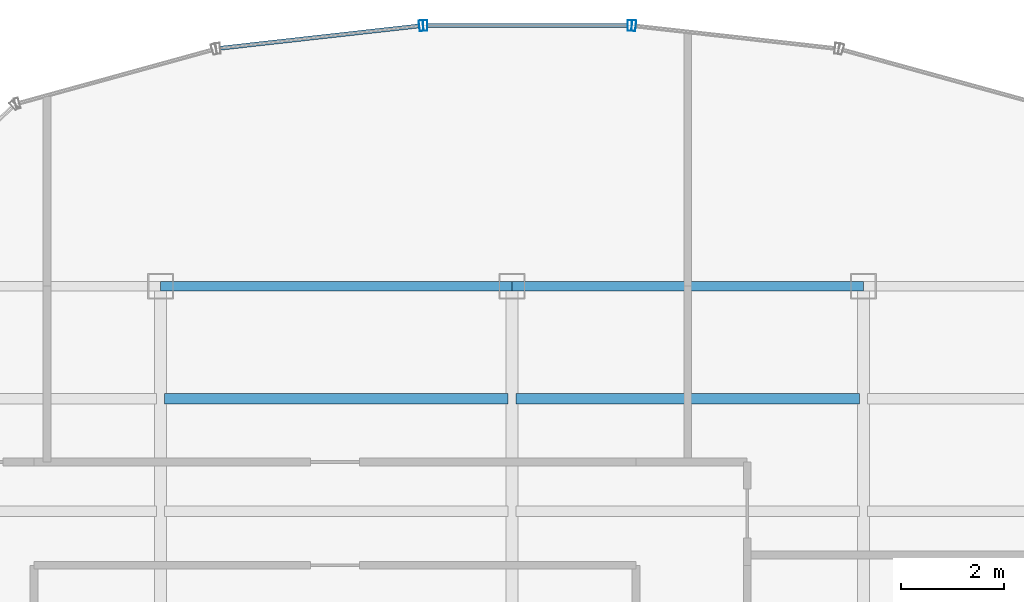
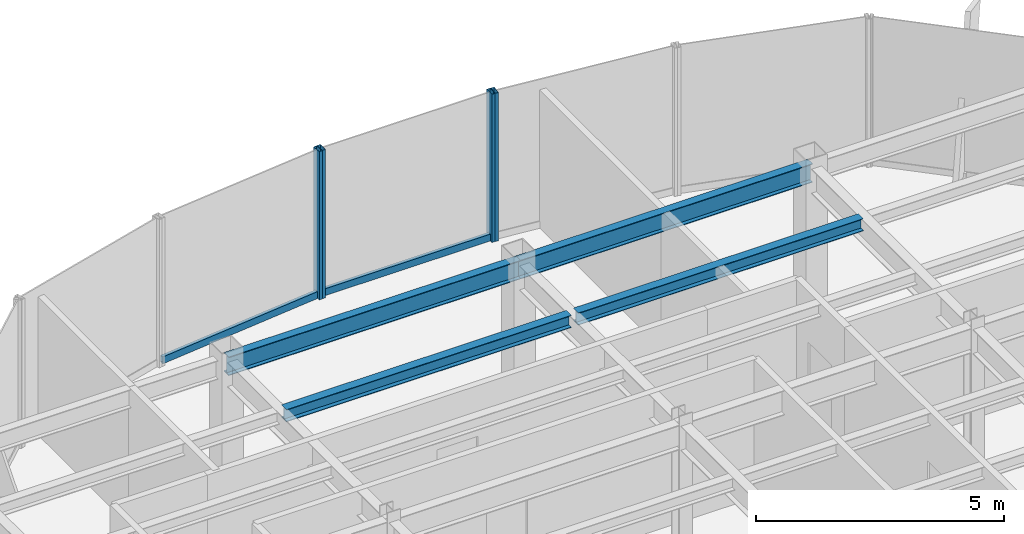
# One storey, part 13 of 22: 6 members, 4 beams, 3 elements without a shape of their own.
"""IFC4 building model written with IfcOpenShell, lengths in metres."""

from ifc_helpers import new_model, si_unit, derived_unit, direction, frame, origin, origin_2d, place, context, subcontext, project, spatial, hollow_rectangle, i_section, extrude, source, transform, mapped, material, material_profile, profile_set, type_object, element, aggregate, save


model = new_model("IFC4")

# Units and contexts
model_context = context("Model", 3, precision=1e-05, world=origin(), true_north=direction((0.0, 1.0)))
body_context = subcontext(model_context, "Body", "Model", "MODEL_VIEW")
ifc_project = project(units=[si_unit("LENGTHUNIT", "METRE"), si_unit("AREAUNIT", "SQUARE_METRE"), si_unit("VOLUMEUNIT", "CUBIC_METRE"), si_unit("PLANEANGLEUNIT", "RADIAN"), si_unit("MASSUNIT", "GRAM", prefix="KILO"), derived_unit("THERMALTRANSMITTANCEUNIT", [(si_unit("POWERUNIT", "WATT"), 1), (si_unit("LENGTHUNIT", "METRE"), -2), (si_unit("THERMODYNAMICTEMPERATUREUNIT", "KELVIN"), -1)])], contexts=[model_context])

# Site, building, storey
site_placement = place(None, origin())
site = spatial("IfcSite", under=ifc_project, at=site_placement, CompositionType="ELEMENT")
building_placement = place(site_placement, origin())
building = spatial("IfcBuilding", under=site, at=building_placement, Name="Skarnbrae Concourse Arena and Tower", CompositionType="ELEMENT")
storey_placement = place(building_placement, frame((0.0, 0.0, 255.14990234375)))
storey = spatial("IfcBuildingStorey", under=building, at=storey_placement, Name="L66", CompositionType="ELEMENT", Elevation=255.14990234375)

# Beams
ifc_material_1 = material(Name="Steel CSA G40.21 350W", Category="steel")
ifc_material_profile_1 = material_profile(ifc_material_1, i_section(OverallWidth=0.19091796875, OverallDepth=0.4599609375, WebThickness=0.010009765625, FlangeThickness=0.01611328125, at=origin_2d()), Name="W460X82")
ifc_profile_set_1 = profile_set([ifc_material_profile_1], Name="Steel CSA G40.21 350W")
beam_type_1 = type_object("IfcBeamType", Name="BM-SPAN-W460X82", PredefinedType="SPANDREL", material=ifc_profile_set_1)
shared_shape_1 = source(origin(), body_context, "Body", "SweptSolid", [
    extrude(i_section(OverallWidth=0.19091796875, OverallDepth=0.4599609375, WebThickness=0.010009765625, FlangeThickness=0.01611328125, at=origin_2d()), origin(), (0.0, 0.0, 1.0), 6.800048828125),
])
for number, where, z_axis, x_axis, name in (
    (1, (14.39990234375, 34.39990234375, 3.170166015625), (1.0, 0.0, 0.0), (0.0, 1.0, 0.0), "L66 Perimeter spandrel Y34.4-2"),
    (2, (21.199951171875, 34.39990234375, 3.170166015625), (1.0, 0.0, 0.0), (0.0, 1.0, 0.0), "L66 Perimeter spandrel Y34.4-3"),
):
    element("IfcBeam", number, at=place(storey_placement, frame(where, z_axis=z_axis, x_axis=x_axis)), inside=storey, type_object=beam_type_1, Name=name, PredefinedType="SPANDREL", context=body_context, shape_type="MappedRepresentation", body=[
        mapped(shared_shape_1, transform((0.0, 0.0, 0.0))),
    ])
ifc_material_profile_2 = material_profile(ifc_material_1, i_section(OverallWidth=0.202880859375, OverallDepth=0.302978515625, WebThickness=0.007568359375, FlangeThickness=0.01318359375, at=origin_2d()), Name="W310X60")
ifc_profile_set_2 = profile_set([ifc_material_profile_2], Name="Steel CSA G40.21 350W")
beam_type_2 = type_object("IfcBeamType", Name="BM-JOIST-W310X60", PredefinedType="JOIST", material=ifc_profile_set_2)
shared_shape_2 = source(origin(), body_context, "Body", "SweptSolid", [
    extrude(i_section(OverallWidth=0.202880859375, OverallDepth=0.302978515625, WebThickness=0.007568359375, FlangeThickness=0.01318359375, at=origin_2d()), origin(), (0.0, 0.0, 1.0), 6.64013671875),
])
beam_1_placement = place(storey_placement, frame((14.47998046875, 32.221923828125, 3.24853515625), z_axis=(1.0, 0.0, 0.0), x_axis=(0.0, 1.0, 0.0)))
element("IfcBeam", 3, at=beam_1_placement, inside=storey, type_object=beam_type_2, Name="L66 Secondary floor joist 3.2.2", PredefinedType="JOIST", context=body_context, shape_type="MappedRepresentation", body=[
    mapped(shared_shape_2, transform((0.0, 0.0, 0.0))),
])
shared_shape_3 = source(origin(), body_context, "Body", "SweptSolid", [
    extrude(i_section(OverallWidth=0.202880859375, OverallDepth=0.302978515625, WebThickness=0.007568359375, FlangeThickness=0.01318359375, at=origin_2d()), origin(), (0.0, 0.0, 1.0), 6.639892578125),
])
beam_2_placement = place(storey_placement, frame((21.280029296875, 32.221923828125, 3.24853515625), z_axis=(1.0, 0.0, 0.0), x_axis=(0.0, 1.0, 0.0)))
element("IfcBeam", 4, at=beam_2_placement, inside=storey, type_object=beam_type_2, Name="L66 Secondary floor joist 3.2.3", PredefinedType="JOIST", context=body_context, shape_type="MappedRepresentation", body=[
    mapped(shared_shape_3, transform((0.0, 0.0, 0.0))),
])

# Curtain wall, member
ifc_material_2 = material(Name="Bronze anodised aluminium 6063-T6", Category="aluminium")
curtain_wall_type = type_object("IfcCurtainWallType", Name="CW-SYS-03-PORTAL", PredefinedType="USERDEFINED", material=ifc_material_2)
curtain_wall_1_placement = place(storey_placement, origin())
curtain_wall_1 = element("IfcCurtainWall", 5, at=curtain_wall_1_placement, inside=storey, type_object=curtain_wall_type, Name="L66 Unitised curtain wall CW-L66-E10", ObjectType="UNITISED CURTAIN WALL", PredefinedType="USERDEFINED")
ifc_material_profile_3 = material_profile(ifc_material_2, hollow_rectangle(XDim=0.080078125, YDim=0.2099609375, WallThickness=0.00439453125, at=origin_2d()), Name="ALU-MULL-80X210")
ifc_profile_set_3 = profile_set([ifc_material_profile_3], Name="Bronze anodised aluminium 6063-T6")
member_type_1 = type_object("IfcMemberType", Name="CWM-CW-03", PredefinedType="MULLION", material=ifc_profile_set_3)
shared_shape_4 = source(origin(), body_context, "Body", "SweptSolid", [
    extrude(hollow_rectangle(XDim=0.080078125, YDim=0.2099609375, WallThickness=0.00439453125, at=origin_2d()), origin(), (0.0, 0.0, 1.0), 3.650146484375),
])
member_1_placement = place(storey_placement, frame((23.556884765625, 39.442138671875, 0.0), z_axis=(0.0, 0.0, 1.0), x_axis=(-0.993768891873, 0.111460259941, 0.0)))
member_1 = element("IfcMember", 6, at=member_1_placement, type_object=member_type_1, Name="CW-L66-E10 Mullion 2", PredefinedType="MULLION", context=body_context, shape_type="MappedRepresentation", body=[
    mapped(shared_shape_4, transform((0.0, 0.0, 0.0))),
])
aggregate(curtain_wall_1, [member_1])

# Curtain wall, members
curtain_wall_2_placement = place(storey_placement, origin())
curtain_wall_2 = element("IfcCurtainWall", 7, at=curtain_wall_2_placement, inside=storey, type_object=curtain_wall_type, Name="L66 Unitised curtain wall CW-L66-E11", ObjectType="UNITISED CURTAIN WALL", PredefinedType="USERDEFINED")
member_2_placement = place(storey_placement, frame((23.477294921875, 39.44677734375, 0.0), z_axis=(0.0, 0.0, 1.0), x_axis=(-1.0, 0.0, 0.0)))
member_2 = element("IfcMember", 8, at=member_2_placement, type_object=member_type_1, Name="CW-L66-E11 Mullion 1", PredefinedType="MULLION", context=body_context, shape_type="MappedRepresentation", body=[
    mapped(shared_shape_4, transform((0.0, 0.0, 0.0))),
])
member_3_placement = place(storey_placement, frame((19.522705078125, 39.44677734375, 0.0), z_axis=(0.0, 0.0, 1.0), x_axis=(-1.0, 0.0, 0.0)))
member_3 = element("IfcMember", 9, at=member_3_placement, type_object=member_type_1, Name="CW-L66-E11 Mullion 2", PredefinedType="MULLION", context=body_context, shape_type="MappedRepresentation", body=[
    mapped(shared_shape_4, transform((0.0, 0.0, 0.0))),
])

curtain_wall_3_placement = place(storey_placement, origin())
curtain_wall_3 = element("IfcCurtainWall", 10, at=curtain_wall_3_placement, inside=storey, type_object=curtain_wall_type, Name="L66 Unitised curtain wall CW-L66-E12", ObjectType="UNITISED CURTAIN WALL", PredefinedType="USERDEFINED")
member_4_placement = place(storey_placement, frame((19.443115234375, 39.442138671875, 0.0), z_axis=(0.0, 0.0, 1.0), x_axis=(-0.993768891873, -0.111460259941, 0.0)))
member_4 = element("IfcMember", 11, at=member_4_placement, type_object=member_type_1, Name="CW-L66-E12 Mullion 1", PredefinedType="MULLION", context=body_context, shape_type="MappedRepresentation", body=[
    mapped(shared_shape_4, transform((0.0, 0.0, 0.0))),
])
ifc_material_profile_4 = material_profile(ifc_material_2, hollow_rectangle(XDim=0.080078125, YDim=0.169921875, WallThickness=0.00439453125, at=origin_2d()), Name="ALU-TRAN-80X170")
ifc_profile_set_4 = profile_set([ifc_material_profile_4], Name="Bronze anodised aluminium 6063-T6")
member_type_2 = type_object("IfcMemberType", Name="CWT-CW-03", PredefinedType="USERDEFINED", material=ifc_profile_set_4)
shared_shape_5 = source(origin(), body_context, "Body", "SweptSolid", [
    extrude(hollow_rectangle(XDim=0.080078125, YDim=0.169921875, WallThickness=0.00439453125, at=origin_2d()), origin(), (0.0, 0.0, 1.0), 3.873779296875),
])
member_5_placement = place(storey_placement, frame((19.4033203125, 39.437744140625, 0.085205078125), z_axis=(-0.993772558096, -0.111427567397, 0.0), x_axis=(0.111427567397, -0.993772558096, 0.0)))
member_5 = element("IfcMember", 12, at=member_5_placement, type_object=member_type_2, Name="CW-L66-E12 Transom 1", ObjectType="TRANSOM", PredefinedType="USERDEFINED", context=body_context, shape_type="MappedRepresentation", body=[
    mapped(shared_shape_5, transform((0.0, 0.0, 0.0))),
])
aggregate(curtain_wall_3, [member_4, member_5])

# Member
shared_shape_6 = source(origin(), body_context, "Body", "SweptSolid", [
    extrude(hollow_rectangle(XDim=0.080078125, YDim=0.169921875, WallThickness=0.00439453125, at=origin_2d()), origin(), (0.0, 0.0, 1.0), 3.87451171875),
])
member_6_placement = place(storey_placement, frame((23.437255859375, 39.44677734375, 0.085205078125), z_axis=(-1.0, 0.0, 0.0), x_axis=(0.0, -1.0, 0.0)))
member_6 = element("IfcMember", 13, at=member_6_placement, type_object=member_type_2, Name="CW-L66-E11 Transom 1", ObjectType="TRANSOM", PredefinedType="USERDEFINED", context=body_context, shape_type="MappedRepresentation", body=[
    mapped(shared_shape_6, transform((0.0, 0.0, 0.0))),
])

aggregate(curtain_wall_2, [member_2, member_3, member_6])

save(model, "model.ifc")
